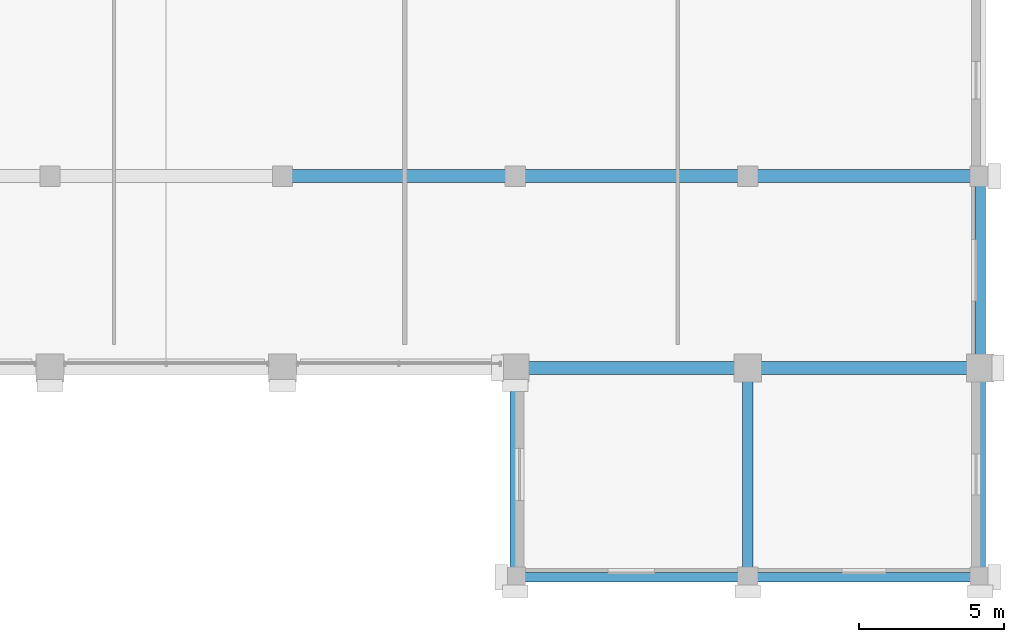
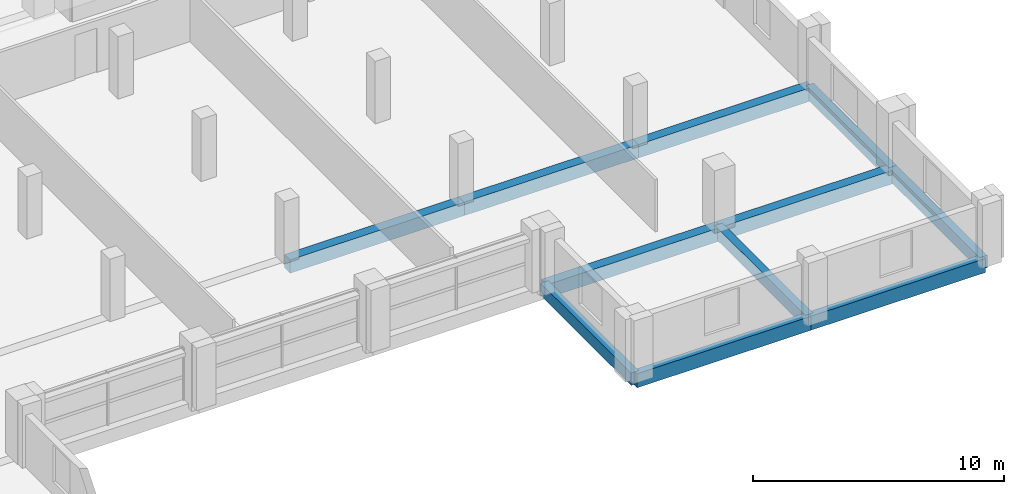
# One storey, part 9 of 25: 11 beams.
"""IFC4 building model written with IfcOpenShell, lengths in metres."""

from ifc_helpers import new_model, si_unit, direction, frame, origin, origin_2d, place, context, subcontext, project, spatial, rectangle, extrude, material, material_profile, profile_set, type_object, element, save


model = new_model("IFC4")

# Units and contexts
model_context = context("Model", 3, precision=1e-05, world=origin(), true_north=direction((0.0, 1.0)))
body_context = subcontext(model_context, "Body", "Model", "MODEL_VIEW")
ifc_project = project(units=[si_unit("LENGTHUNIT", "METRE"), si_unit("AREAUNIT", "SQUARE_METRE"), si_unit("VOLUMEUNIT", "CUBIC_METRE"), si_unit("PLANEANGLEUNIT", "RADIAN"), si_unit("MASSUNIT", "GRAM", prefix="KILO")], contexts=[model_context])

# Site, building, storey
site_placement = place(None, origin())
site = spatial("IfcSite", under=ifc_project, at=site_placement, CompositionType="ELEMENT")
building_placement = place(site_placement, origin())
building = spatial("IfcBuilding", under=site, at=building_placement, Name="Akrevak Sports Hall", CompositionType="ELEMENT")
storey_placement = place(building_placement, frame((0.0, 0.0, 50.300048828125)))
storey = spatial("IfcBuildingStorey", under=building, at=storey_placement, Name="L12", CompositionType="ELEMENT", Elevation=50.300048828125)

# Beams
ifc_material = material(Name="Concrete C40/50", Category="concrete")
ifc_material_profile_1 = material_profile(ifc_material, rectangle(XDim=0.35009765625, YDim=0.60009765625, at=origin_2d()), Name="BM 350x600", Category="concrete")
ifc_profile_set_1 = profile_set([ifc_material_profile_1], Name="Concrete C40/50")
beam_type_1 = type_object("IfcBeamType", Name="STR-BM-RC350x600", PredefinedType="BEAM", material=ifc_profile_set_1)
for number, where, z_axis, x_axis, name in (
    (1, (92.0, 21.60009765625, -0.300048828125), (0.0, 1.0, 0.0), (-1.0, 0.0, 0.0), "Girder 13/D-E (L12)"),
    (2, (100.0, 21.60009765625, -0.300048828125), (0.0, 1.0, 0.0), (-1.0, 0.0, 0.0), "Girder 14/D-E (L12)"),
    (3, (108.0, 21.60009765625, -0.300048828125), (0.0, 1.0, 0.0), (-1.0, 0.0, 0.0), "Girder 15/D-E (L12)"),
):
    element("IfcBeam", number, at=place(storey_placement, frame(where, z_axis=z_axis, x_axis=x_axis)), inside=storey, type_object=beam_type_1, Name=name, PredefinedType="BEAM", context=body_context, shape_type="SweptSolid", body=[
        extrude(rectangle(XDim=0.35009765625, YDim=0.60009765625, at=origin_2d()), origin(), (0.0, 0.0, 1.0), 7.199951171875),
    ])
beam_placement = place(storey_placement, frame((108.0, 28.800048828125, -0.300048828125), z_axis=(0.0, 1.0, 0.0), x_axis=(-1.0, 0.0, 0.0)))
element("IfcBeam", 4, at=beam_placement, inside=storey, type_object=beam_type_1, Name="Girder 15/E-F (L12)", PredefinedType="BEAM", context=body_context, shape_type="SweptSolid", body=[
    extrude(rectangle(XDim=0.35009765625, YDim=0.60009765625, at=origin_2d()), origin(), (0.0, 0.0, 1.0), 6.599853515625),
])
ifc_material_profile_2 = material_profile(ifc_material, rectangle(XDim=0.449951171875, YDim=0.64990234375, at=origin_2d()), Name="BM 450x650", Category="concrete")
ifc_profile_set_2 = profile_set([ifc_material_profile_2], Name="Concrete C40/50")
beam_type_2 = type_object("IfcBeamType", Name="STR-BM-RC450x650", PredefinedType="BEAM", material=ifc_profile_set_2)
for number, where, z_axis, x_axis, name in (
    (5, (92.0, 28.800048828125, -0.324951171875), (1.0, 0.0, 0.0), (0.0, 1.0, 0.0), "Girder E/13-14 (L12)"),
    (6, (100.0, 28.800048828125, -0.324951171875), (1.0, 0.0, 0.0), (0.0, 1.0, 0.0), "Girder E/14-15 (L12)"),
    (7, (84.0, 35.39990234375, -0.324951171875), (1.0, 0.0, 0.0), (0.0, 1.0, 0.0), "Girder F/12-13 (L12)"),
    (8, (92.0, 35.39990234375, -0.324951171875), (1.0, 0.0, 0.0), (0.0, 1.0, 0.0), "Girder F/13-14 (L12)"),
    (9, (100.0, 35.39990234375, -0.324951171875), (1.0, 0.0, 0.0), (0.0, 1.0, 0.0), "Girder F/14-15 (L12)"),
):
    element("IfcBeam", number, at=place(storey_placement, frame(where, z_axis=z_axis, x_axis=x_axis)), inside=storey, type_object=beam_type_2, Name=name, PredefinedType="BEAM", context=body_context, shape_type="SweptSolid", body=[
        extrude(rectangle(XDim=0.449951171875, YDim=0.64990234375, at=origin_2d()), origin(), (0.0, 0.0, 1.0), 8.0),
    ])
ifc_material_profile_3 = material_profile(ifc_material, rectangle(XDim=0.320068359375, YDim=0.679931640625, at=origin_2d()), Name="SPD 320x680", Category="concrete")
ifc_profile_set_3 = profile_set([ifc_material_profile_3], Name="Concrete C40/50")
beam_type_3 = type_object("IfcBeamType", Name="STR-SPD-RC320x680", PredefinedType="SPANDREL", material=ifc_profile_set_3)
for number, where, z_axis, x_axis, name in (
    (10, (92.0, 21.60009765625, -0.340087890625), (1.0, 0.0, 0.0), (0.0, 1.0, 0.0), "Girder D/13-14 (L12)"),
    (11, (100.0, 21.60009765625, -0.340087890625), (1.0, 0.0, 0.0), (0.0, 1.0, 0.0), "Girder D/14-15 (L12)"),
):
    element("IfcBeam", number, at=place(storey_placement, frame(where, z_axis=z_axis, x_axis=x_axis)), inside=storey, type_object=beam_type_3, Name=name, PredefinedType="SPANDREL", context=body_context, shape_type="SweptSolid", body=[
        extrude(rectangle(XDim=0.320068359375, YDim=0.679931640625, at=origin_2d()), origin(), (0.0, 0.0, 1.0), 8.0),
    ])

save(model, "model.ifc")
